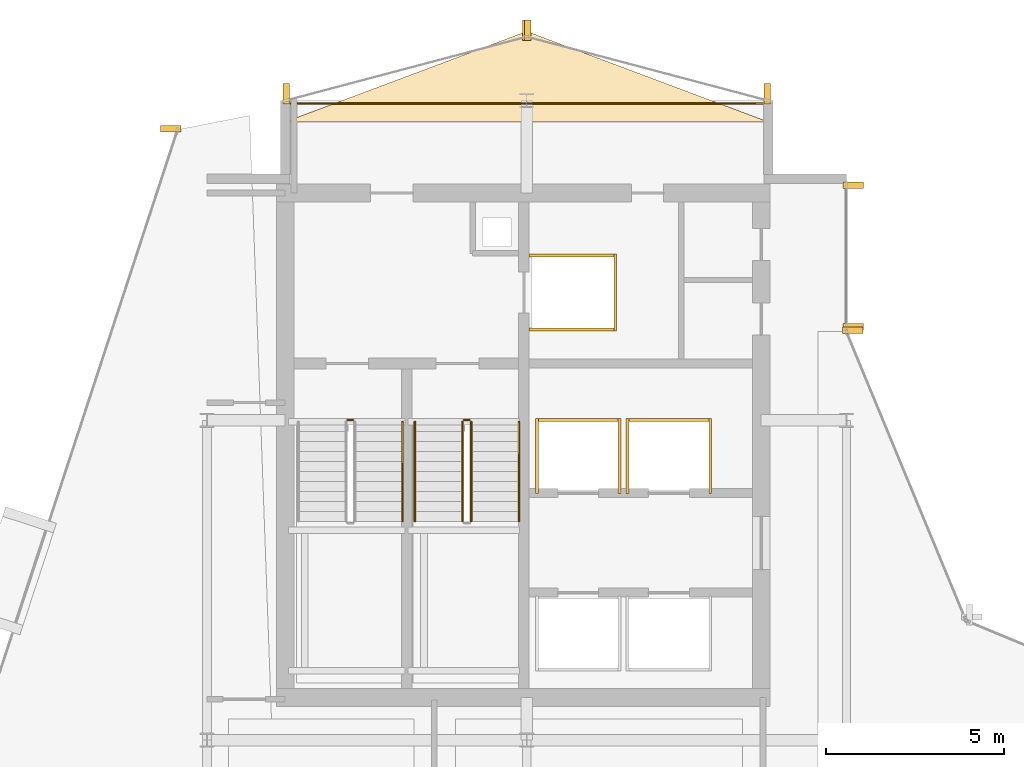
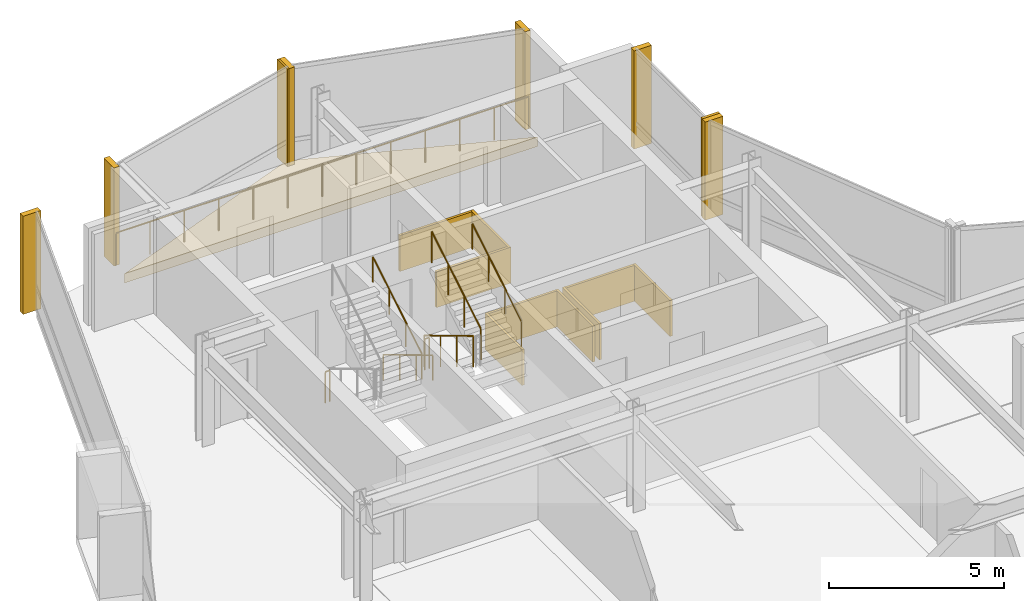
# One storey, part 27 of 27: 18 coverings, 8 railings.
"""IFC4 building model written with IfcOpenShell, lengths in metres."""

from ifc_helpers import new_model, si_unit, direction, frame, origin, origin_2d, place, context, subcontext, project, spatial, polyline, rectangle, circle, outline, extrude, material, layer, layer_set, type_object, element, save


model = new_model("IFC4")

# Units and contexts
model_context = context("Model", 3, precision=1e-05, world=origin(), true_north=direction((0.0, 1.0)))
body_context = subcontext(model_context, "Body", "Model", "MODEL_VIEW")
ifc_project = project(units=[si_unit("LENGTHUNIT", "METRE"), si_unit("AREAUNIT", "SQUARE_METRE"), si_unit("VOLUMEUNIT", "CUBIC_METRE"), si_unit("PLANEANGLEUNIT", "RADIAN"), si_unit("MASSUNIT", "GRAM", prefix="KILO")], contexts=[model_context])

# Site, building, storey
site_placement = place(None, origin())
site = spatial("IfcSite", under=ifc_project, at=site_placement, CompositionType="ELEMENT")
building_placement = place(site_placement, origin())
building = spatial("IfcBuilding", under=site, at=building_placement, Name="Solvaryn Broadcast Tower", CompositionType="ELEMENT")
storey_placement = place(building_placement, frame((0.0, 0.0, 221.0)))
storey = spatial("IfcBuildingStorey", under=building, at=storey_placement, Name="L55", CompositionType="ELEMENT", Elevation=221.0)

# Coverings
ifc_material_1 = material(Name="Fire-Rated Gypsum Shaftwall Liner", Category="concrete")
ifc_layer_1 = layer(ifc_material_1, 0.080078125)
ifc_layer_set_1 = layer_set([ifc_layer_1], Name="CV-SHAFT-LINER")
covering_type_1 = type_object("IfcCoveringType", Name="CV-SHAFT-LINER", PredefinedType="CLADDING", material=ifc_layer_set_1)
for number, where, z_axis, x_axis, name in (
    (1, (19.300048828125, 40.639892578125, 0.0), (0.0, 0.0, 1.0), (1.0, 0.0, 0.0), "L55 FL1 Hoistway Shaft Liner North"),
    (2, (19.300048828125, 38.56005859375, 0.0), (0.0, 0.0, 1.0), (1.0, 0.0, 0.0), "L55 FL1 Hoistway Shaft Liner South"),
):
    element("IfcCovering", number, at=place(storey_placement, frame(where, z_axis=z_axis, x_axis=x_axis)), inside=storey, type_object=covering_type_1, Name=name, PredefinedType="CLADDING", context=body_context, shape_type="SweptSolid", body=[
        extrude(rectangle(XDim=2.4599609375, YDim=0.080078125, at=origin_2d()), origin(), (0.0, 0.0, 1.0), 1.25),
    ])
covering_1_placement = place(storey_placement, frame((20.489990234375, 39.60009765625, 0.0), z_axis=(0.0, 0.0, 1.0), x_axis=(1.0, 0.0, 0.0)))
element("IfcCovering", 3, at=covering_1_placement, inside=storey, type_object=covering_type_1, Name="L55 FL1 Hoistway Shaft Liner East", PredefinedType="CLADDING", context=body_context, shape_type="SweptSolid", body=[
    extrude(rectangle(XDim=0.080078125, YDim=2.159912109375, at=origin_2d()), origin(), (0.0, 0.0, 1.0), 1.25),
])
covering_2_placement = place(storey_placement, frame((19.449951171875, 36.014892578125, 0.0), z_axis=(0.0, 0.0, 1.0), x_axis=(1.0, 0.0, 0.0)))
element("IfcCovering", 4, at=covering_2_placement, inside=storey, type_object=covering_type_1, Name="L55 PH3 Hoistway Shaft Liner North", PredefinedType="CLADDING", context=body_context, shape_type="SweptSolid", body=[
    extrude(rectangle(XDim=2.409912109375, YDim=0.080078125, at=origin_2d()), origin(), (0.0, 0.0, 1.0), 1.25),
])
for number, where, z_axis, x_axis, name in (
    (5, (20.614990234375, 35.0, 0.0), (0.0, 0.0, 1.0), (1.0, 0.0, 0.0), "L55 PH3 Hoistway Shaft Liner East"),
    (6, (18.284912109375, 35.0, 0.0), (0.0, 0.0, 1.0), (1.0, 0.0, 0.0), "L55 PH3 Hoistway Shaft Liner West"),
):
    element("IfcCovering", number, at=place(storey_placement, frame(where, z_axis=z_axis, x_axis=x_axis)), inside=storey, type_object=covering_type_1, Name=name, PredefinedType="CLADDING", context=body_context, shape_type="SweptSolid", body=[
        extrude(rectangle(XDim=0.080078125, YDim=2.110107421875, at=origin_2d()), origin(), (0.0, 0.0, 1.0), 1.25),
    ])
covering_3_placement = place(storey_placement, frame((22.0, 36.014892578125, 0.0), z_axis=(0.0, 0.0, 1.0), x_axis=(1.0, 0.0, 0.0)))
element("IfcCovering", 7, at=covering_3_placement, inside=storey, type_object=covering_type_1, Name="L55 PH4 Hoistway Shaft Liner North", PredefinedType="CLADDING", context=body_context, shape_type="SweptSolid", body=[
    extrude(rectangle(XDim=2.409912109375, YDim=0.080078125, at=origin_2d()), origin(), (0.0, 0.0, 1.0), 1.25),
])
for number, where, z_axis, x_axis, name in (
    (8, (23.1650390625, 35.0, 0.0), (0.0, 0.0, 1.0), (1.0, 0.0, 0.0), "L55 PH4 Hoistway Shaft Liner East"),
    (9, (20.8349609375, 35.0, 0.0), (0.0, 0.0, 1.0), (1.0, 0.0, 0.0), "L55 PH4 Hoistway Shaft Liner West"),
):
    element("IfcCovering", number, at=place(storey_placement, frame(where, z_axis=z_axis, x_axis=x_axis)), inside=storey, type_object=covering_type_1, Name=name, PredefinedType="CLADDING", context=body_context, shape_type="SweptSolid", body=[
        extrude(rectangle(XDim=0.080078125, YDim=2.110107421875, at=origin_2d()), origin(), (0.0, 0.0, 1.0), 1.25),
    ])
ifc_material_2 = material(Name="Extruded Architectural Terracotta Fin", Category="masonry")
ifc_layer_2 = layer(ifc_material_2, 0.179931640625)
ifc_layer_set_2 = layer_set([ifc_layer_2], Name="CV-TC-FIN")
covering_type_2 = type_object("IfcCoveringType", Name="CV-TC-FIN", PredefinedType="USERDEFINED", material=ifc_layer_set_2)
for number, where, z_axis, x_axis, name in (
    (10, (7.982666015625, 44.209716796875, 0.0), (0.0, 0.0, 1.0), (1.0, 0.0, 0.0), "L55 Terracotta Vertical Fin FIN-L55-DR1-M00"),
    (11, (27.1875, 42.6201171875, 0.0), (0.0, 0.0, 1.0), (1.0, 0.0, 0.0), "L55 Terracotta Vertical Fin FIN-L55-IV-M00"),
    (12, (27.1875, 38.6298828125, 0.0), (0.0, 0.0, 1.0), (1.0, 0.0, 0.0), "L55 Terracotta Vertical Fin FIN-L55-IV-M01"),
    (13, (27.177978515625, 38.541259765625, 0.0), (0.0, 0.0, 1.0), (1.0, 0.0, 0.0), "L55 Terracotta Vertical Fin FIN-L55-CN2-M01"),
):
    element("IfcCovering", number, at=place(storey_placement, frame(where, z_axis=z_axis, x_axis=x_axis)), inside=storey, type_object=covering_type_2, Name=name, ObjectType="FIN", PredefinedType="USERDEFINED", context=body_context, shape_type="SweptSolid", body=[
        extrude(rectangle(XDim=0.580078125, YDim=0.179931640625, at=origin_2d()), origin(), (0.0, 0.0, 1.0), 3.419921875),
    ])
for number, where, z_axis, x_axis, name in (
    (14, (24.77099609375, 45.1953125, 0.0), (0.0, 0.0, 1.0), (1.0, 0.0, 0.0), "L55 Terracotta Vertical Fin FIN-L55-NT1-M00"),
    (15, (18.029052734375, 46.979736328125, 0.0), (0.0, 0.0, 1.0), (1.0, 0.0, 0.0), "L55 Terracotta Vertical Fin FIN-L55-NT1-M01"),
    (16, (17.970947265625, 46.979736328125, 0.0), (0.0, 0.0, 1.0), (1.0, 0.0, 0.0), "L55 Terracotta Vertical Fin FIN-L55-NT2-M00"),
    (17, (11.22900390625, 45.1953125, 0.0), (0.0, 0.0, 1.0), (1.0, 0.0, 0.0), "L55 Terracotta Vertical Fin FIN-L55-NT2-M01"),
):
    element("IfcCovering", number, at=place(storey_placement, frame(where, z_axis=z_axis, x_axis=x_axis)), inside=storey, type_object=covering_type_2, Name=name, ObjectType="FIN", PredefinedType="USERDEFINED", context=body_context, shape_type="SweptSolid", body=[
        extrude(rectangle(XDim=0.179931640625, YDim=0.580078125, at=origin_2d()), origin(), (0.0, 0.0, 1.0), 3.419921875),
    ])
ifc_material_3 = material(Name="Sculpted Architectural Terracotta Wave Fascia", Category="masonry")
ifc_layer_3 = layer(ifc_material_3, 0.340087890625)
ifc_layer_set_3 = layer_set([ifc_layer_3], Name="CV-WAVE-TRAY")
covering_type_3 = type_object("IfcCoveringType", Name="CV-WAVE-TRAY", PredefinedType="CLADDING", material=ifc_layer_set_3)
covering_4_placement = place(storey_placement, frame((0.0, 0.0, -0.300048828125)))
element("IfcCovering", 18, at=covering_4_placement, inside=storey, type_object=covering_type_3, Name="L55 North Curved Wing Deck", PredefinedType="CLADDING", context=body_context, shape_type="SweptSolid", body=[
    extrude(outline(polyline([(11.199951171875, 44.39990234375), (24.800048828125, 44.39990234375), (18.0, 46.949951171875), (11.199951171875, 44.39990234375)])), origin(), (0.0, 0.0, 1.0), 0.330078125),
])

# Railings
ifc_material_4 = material(Name="Painted Steel Stair Well Guard", Category="steel")
railing_type_1 = type_object("IfcRailingType", Name="RL-STAIR-GUARD", PredefinedType="BALUSTRADE", material=ifc_material_4)
railing_1_placement = place(storey_placement, frame((12.9599609375, 36.010009765625, 0.0)))
element("IfcRailing", 19, at=railing_1_placement, inside=storey, type_object=railing_type_1, Name="L55 ST1 stair guard 4", PredefinedType="BALUSTRADE", context=body_context, shape_type="SweptSolid", body=[
    extrude(circle(Radius=0.02392578125, at=origin_2d()), frame((0.0, 0.0, 1.076171875), z_axis=(1.0, 0.0, 0.0), x_axis=(0.0, 1.0, 0.0)), (0.0, 0.0, 1.0), 0.150146484375),
    extrude(circle(Radius=0.02099609375, at=origin_2d()), origin(), (0.0, 0.0, 1.0), 1.052001953125),
    extrude(circle(Radius=0.02099609375, at=origin_2d()), frame((0.150146484375, 0.0, 0.0)), (0.0, 0.0, 1.0), 1.052001953125),
])
railing_2_placement = place(storey_placement, frame((16.18994140625, 35.9599609375, 0.168212890625)))
element("IfcRailing", 20, at=railing_2_placement, inside=storey, type_object=railing_type_1, Name="L55 ST2 stair guard 1", PredefinedType="BALUSTRADE", context=body_context, shape_type="SweptSolid", body=[
    extrude(circle(Radius=0.02392578125, at=origin_2d()), frame((0.0, 0.0, 1.076171875), z_axis=(0.0, -0.857242210791, 0.514913383045), x_axis=(1.0, 0.0, 0.0)), (0.0, 0.0, 1.0), 3.266357421875),
    extrude(circle(Radius=0.02099609375, at=origin_2d()), origin(), (0.0, 0.0, 1.0), 1.052001953125),
    extrude(circle(Radius=0.02099609375, at=origin_2d()), frame((0.0, -0.933349609375, 0.560546875)), (0.0, 0.0, 1.0), 1.052001953125),
    extrude(circle(Radius=0.02099609375, at=origin_2d()), frame((0.0, -1.86669921875, 1.121337890625)), (0.0, 0.0, 1.0), 1.052001953125),
    extrude(circle(Radius=0.02099609375, at=origin_2d()), frame((0.0, -2.800048828125, 1.681884765625)), (0.0, 0.0, 1.0), 1.052001953125),
])
railing_3_placement = place(storey_placement, frame((16.43994140625, 33.159912109375, 2.01806640625)))
element("IfcRailing", 21, at=railing_3_placement, inside=storey, type_object=railing_type_1, Name="L55 ST2 stair guard 3", PredefinedType="BALUSTRADE", context=body_context, shape_type="SweptSolid", body=[
    extrude(circle(Radius=0.02392578125, at=origin_2d()), frame((0.0, 0.0, 1.076171875), z_axis=(0.0, 0.857242210791, 0.514913383045), x_axis=(-1.0, 0.0, 0.0)), (0.0, 0.0, 1.0), 3.266357421875),
    extrude(circle(Radius=0.02099609375, at=origin_2d()), origin(), (0.0, 0.0, 1.0), 1.052001953125),
    extrude(circle(Radius=0.02099609375, at=origin_2d()), frame((0.0, 0.933349609375, 0.560546875)), (0.0, 0.0, 1.0), 1.052001953125),
    extrude(circle(Radius=0.02099609375, at=origin_2d()), frame((0.0, 1.86669921875, 1.121337890625)), (0.0, 0.0, 1.0), 1.052001953125),
    extrude(circle(Radius=0.02099609375, at=origin_2d()), frame((0.0, 2.800048828125, 1.681884765625)), (0.0, 0.0, 1.0), 1.052001953125),
])
railing_4_placement = place(storey_placement, frame((16.239990234375, 36.010009765625, 0.0)))
element("IfcRailing", 22, at=railing_4_placement, inside=storey, type_object=railing_type_1, Name="L55 ST2 stair guard 4", PredefinedType="BALUSTRADE", context=body_context, shape_type="SweptSolid", body=[
    extrude(circle(Radius=0.02392578125, at=origin_2d()), frame((0.0, 0.0, 1.076171875), z_axis=(1.0, 0.0, 0.0), x_axis=(0.0, 1.0, 0.0)), (0.0, 0.0, 1.0), 0.14990234375),
    extrude(circle(Radius=0.02099609375, at=origin_2d()), origin(), (0.0, 0.0, 1.0), 1.052001953125),
    extrude(circle(Radius=0.02099609375, at=origin_2d()), frame((0.14990234375, 0.0, 0.0)), (0.0, 0.0, 1.0), 1.052001953125),
])
ifc_material_5 = material(Name="Brushed Stainless Steel Tubular Handrail", Category="steel")
railing_type_2 = type_object("IfcRailingType", Name="RL-STAIR-HANDRAIL", PredefinedType="HANDRAIL", material=ifc_material_5)
railing_5_placement = place(storey_placement, frame((14.5, 33.159912109375, 2.01806640625)))
element("IfcRailing", 23, at=railing_5_placement, inside=storey, type_object=railing_type_2, Name="L55 ST1 stair handrail 2", PredefinedType="HANDRAIL", context=body_context, shape_type="SweptSolid", body=[
    extrude(circle(Radius=0.02392578125, at=origin_2d()), frame((0.0, 0.0, 0.8759765625), z_axis=(0.0, 0.857242210791, 0.514913383045), x_axis=(-1.0, 0.0, 0.0)), (0.0, 0.0, 1.0), 3.266357421875),
    extrude(circle(Radius=0.02099609375, at=origin_2d()), origin(), (0.0, 0.0, 1.0), 0.851806640625),
    extrude(circle(Radius=0.02099609375, at=origin_2d()), frame((0.0, 0.933349609375, 0.560546875)), (0.0, 0.0, 1.0), 0.851806640625),
    extrude(circle(Radius=0.02099609375, at=origin_2d()), frame((0.0, 1.86669921875, 1.121337890625)), (0.0, 0.0, 1.0), 0.851806640625),
    extrude(circle(Radius=0.02099609375, at=origin_2d()), frame((0.0, 2.800048828125, 1.681884765625)), (0.0, 0.0, 1.0), 0.851806640625),
])
railing_6_placement = place(storey_placement, frame((14.85009765625, 35.9599609375, 0.168212890625)))
element("IfcRailing", 24, at=railing_6_placement, inside=storey, type_object=railing_type_2, Name="L55 ST2 stair handrail 1", PredefinedType="HANDRAIL", context=body_context, shape_type="SweptSolid", body=[
    extrude(circle(Radius=0.02392578125, at=origin_2d()), frame((0.0, 0.0, 0.8759765625), z_axis=(0.0, -0.857242210791, 0.514913383045), x_axis=(1.0, 0.0, 0.0)), (0.0, 0.0, 1.0), 3.266357421875),
    extrude(circle(Radius=0.02099609375, at=origin_2d()), origin(), (0.0, 0.0, 1.0), 0.851806640625),
    extrude(circle(Radius=0.02099609375, at=origin_2d()), frame((0.0, -0.933349609375, 0.560546875)), (0.0, 0.0, 1.0), 0.851806640625),
    extrude(circle(Radius=0.02099609375, at=origin_2d()), frame((0.0, -1.86669921875, 1.121337890625)), (0.0, 0.0, 1.0), 0.851806640625),
    extrude(circle(Radius=0.02099609375, at=origin_2d()), frame((0.0, -2.800048828125, 1.681884765625)), (0.0, 0.0, 1.0), 0.851806640625),
])
railing_7_placement = place(storey_placement, frame((17.780029296875, 33.159912109375, 2.01806640625)))
element("IfcRailing", 25, at=railing_7_placement, inside=storey, type_object=railing_type_2, Name="L55 ST2 stair handrail 2", PredefinedType="HANDRAIL", context=body_context, shape_type="SweptSolid", body=[
    extrude(circle(Radius=0.02392578125, at=origin_2d()), frame((0.0, 0.0, 0.8759765625), z_axis=(0.0, 0.857242210791, 0.514913383045), x_axis=(-1.0, 0.0, 0.0)), (0.0, 0.0, 1.0), 3.266357421875),
    extrude(circle(Radius=0.02099609375, at=origin_2d()), origin(), (0.0, 0.0, 1.0), 0.851806640625),
    extrude(circle(Radius=0.02099609375, at=origin_2d()), frame((0.0, 0.933349609375, 0.560546875)), (0.0, 0.0, 1.0), 0.851806640625),
    extrude(circle(Radius=0.02099609375, at=origin_2d()), frame((0.0, 1.86669921875, 1.121337890625)), (0.0, 0.0, 1.0), 0.851806640625),
    extrude(circle(Radius=0.02099609375, at=origin_2d()), frame((0.0, 2.800048828125, 1.681884765625)), (0.0, 0.0, 1.0), 0.851806640625),
])
ifc_material_6 = material(Name="Stainless Steel and Laminated Glass Guard", Category="steel")
railing_type_3 = type_object("IfcRailingType", Name="RL-TER-1150", PredefinedType="BALUSTRADE", material=ifc_material_6)
railing_8_placement = place(storey_placement, frame((11.199951171875, 44.919921875, 0.0)))
element("IfcRailing", 26, at=railing_8_placement, inside=storey, type_object=railing_type_3, Name="L55 North Wing Spandrel Edge Guard", PredefinedType="BALUSTRADE", context=body_context, shape_type="SweptSolid", body=[
    extrude(circle(Radius=0.02392578125, at=origin_2d()), frame((0.0, 0.0, 1.1259765625), z_axis=(1.0, 0.0, 0.0), x_axis=(0.0, 1.0, 0.0)), (0.0, 0.0, 1.0), 13.60009765625),
    extrude(circle(Radius=0.02099609375, at=origin_2d()), origin(), (0.0, 0.0, 1.0), 1.101806640625),
    extrude(circle(Radius=0.02099609375, at=origin_2d()), frame((1.13330078125, 0.0, 0.0)), (0.0, 0.0, 1.0), 1.101806640625),
    extrude(circle(Radius=0.02099609375, at=origin_2d()), frame((2.2666015625, 0.0, 0.0)), (0.0, 0.0, 1.0), 1.101806640625),
    extrude(circle(Radius=0.02099609375, at=origin_2d()), frame((3.39990234375, 0.0, 0.0)), (0.0, 0.0, 1.0), 1.101806640625),
    extrude(circle(Radius=0.02099609375, at=origin_2d()), frame((4.533447265625, 0.0, 0.0)), (0.0, 0.0, 1.0), 1.101806640625),
    extrude(circle(Radius=0.02099609375, at=origin_2d()), frame((5.666748046875, 0.0, 0.0)), (0.0, 0.0, 1.0), 1.101806640625),
    extrude(circle(Radius=0.02099609375, at=origin_2d()), frame((6.800048828125, 0.0, 0.0)), (0.0, 0.0, 1.0), 1.101806640625),
    extrude(circle(Radius=0.02099609375, at=origin_2d()), frame((7.933349609375, 0.0, 0.0)), (0.0, 0.0, 1.0), 1.101806640625),
    extrude(circle(Radius=0.02099609375, at=origin_2d()), frame((9.066650390625, 0.0, 0.0)), (0.0, 0.0, 1.0), 1.101806640625),
    extrude(circle(Radius=0.02099609375, at=origin_2d()), frame((10.2001953125, 0.0, 0.0)), (0.0, 0.0, 1.0), 1.101806640625),
    extrude(circle(Radius=0.02099609375, at=origin_2d()), frame((11.33349609375, 0.0, 0.0)), (0.0, 0.0, 1.0), 1.101806640625),
    extrude(circle(Radius=0.02099609375, at=origin_2d()), frame((12.466796875, 0.0, 0.0)), (0.0, 0.0, 1.0), 1.101806640625),
    extrude(circle(Radius=0.02099609375, at=origin_2d()), frame((13.60009765625, 0.0, 0.0)), (0.0, 0.0, 1.0), 1.101806640625),
])

save(model, "model.ifc")
